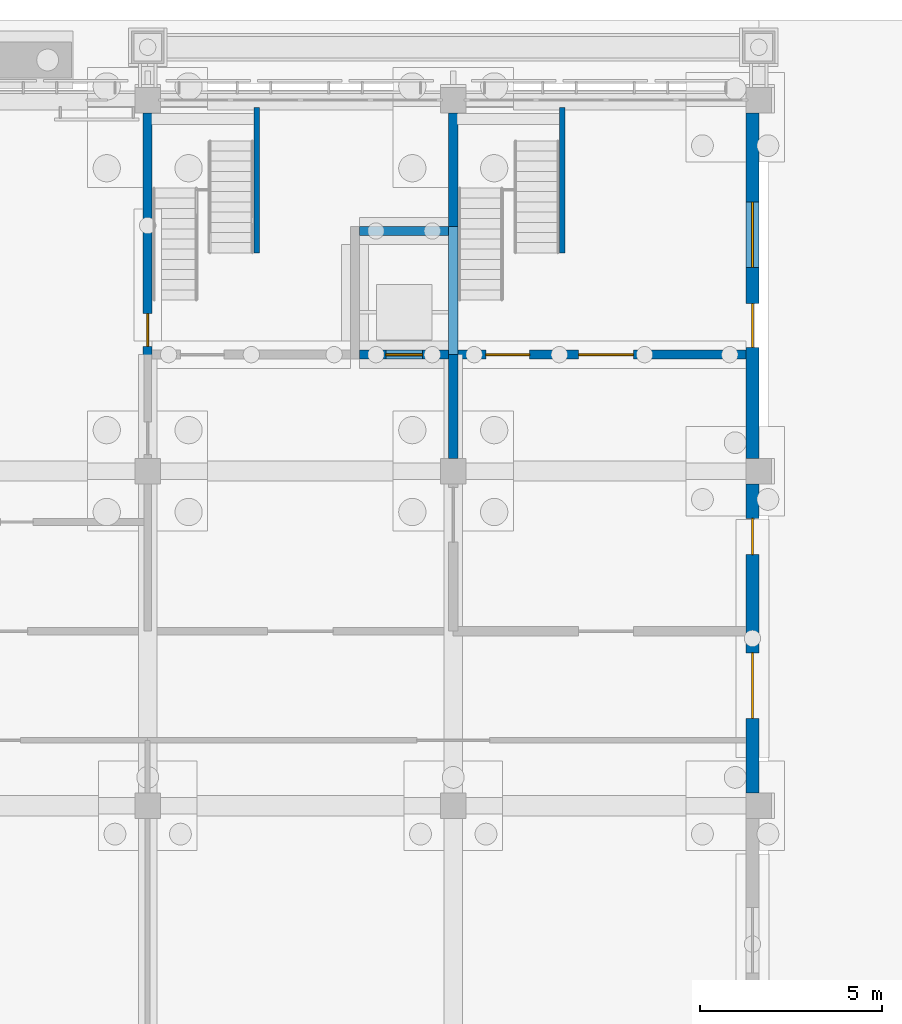
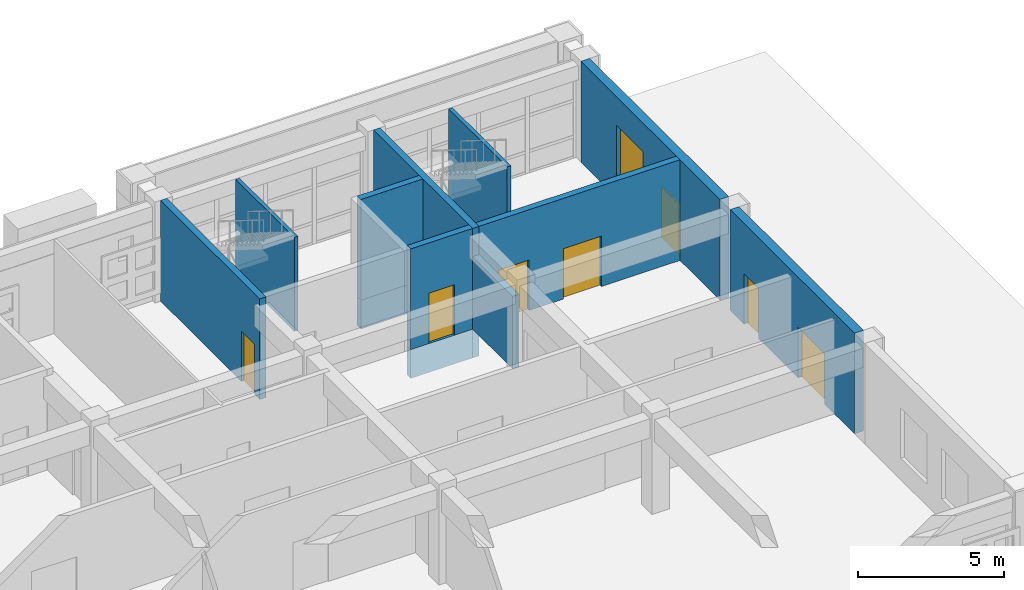
# One storey, part 78 of 112: 13 walls, 7 doors, 1 window, 8 openings.
"""IFC4 building model written with IfcOpenShell, lengths in metres."""

from ifc_helpers import new_model, si_unit, direction, frame, frame_2d, origin, place, context, subcontext, project, spatial, rectangle, extrude, material, layer, layer_set, type_object, element, fill, save


model = new_model("IFC4")

# Units and contexts
model_context = context("Model", 3, precision=1e-05, world=origin(), true_north=direction((0.0, 1.0)))
body_context = subcontext(model_context, "Body", "Model", "MODEL_VIEW")
ifc_project = project(units=[si_unit("LENGTHUNIT", "METRE"), si_unit("AREAUNIT", "SQUARE_METRE"), si_unit("VOLUMEUNIT", "CUBIC_METRE"), si_unit("PLANEANGLEUNIT", "RADIAN"), si_unit("MASSUNIT", "GRAM", prefix="KILO")], contexts=[model_context])

# Site, building, storey
site_placement = place(None, origin())
site = spatial("IfcSite", under=ifc_project, at=site_placement, CompositionType="ELEMENT")
building_placement = place(site_placement, origin())
building = spatial("IfcBuilding", under=site, at=building_placement, Name="Wasatch Bagh Community Centre", CompositionType="ELEMENT")
storey_placement = place(building_placement, origin())
storey = spatial("IfcBuildingStorey", under=building, at=storey_placement, Name="L00", CompositionType="ELEMENT", Elevation=0.0)

# Wall, opening, door
ifc_material_1 = material(Name="Concrete C40", Category="concrete")
ifc_layer_1 = layer(ifc_material_1, 0.25)
ifc_layer_set_1 = layer_set([ifc_layer_1], Name="Concrete C40")
wall_type_1 = type_object("IfcWallType", Name="LW core wall 250", PredefinedType="SHEAR", material=ifc_layer_set_1)
wall_1_placement = place(storey_placement, frame((128.625, 90.800048828125, 0.0), z_axis=(0.0, 0.0, 1.0), x_axis=(1.0, 0.0, 0.0)))
wall_1 = element("IfcWall", 1, at=wall_1_placement, inside=storey, type_object=wall_type_1, Name="LW.swall.L00.08", PredefinedType="SHEAR", context=body_context, shape_type="SweptSolid", body=[
    extrude(rectangle(XDim=2.449951171875, YDim=0.25, at=frame_2d((1.22509765625, 0.0))), origin(), (0.0, 0.0, 1.0), 4.199951171875),
])
opening_1_placement = place(wall_1_placement, frame((0.72509765625, 0.0, 0.0)))
opening_1 = element("IfcOpeningElement", 2, at=opening_1_placement, cuts=wall_1, Name="Opening 0L-52", PredefinedType="OPENING", context=body_context, shape_type="SweptSolid", body=[
    extrude(rectangle(XDim=1.0, YDim=2.10009765625, at=frame_2d((0.5, 1.050048828125))), frame((0.0, 0.135009765625, 0.0), z_axis=(0.0, -1.0, 0.0), x_axis=(1.0, 0.0, 0.0)), (0.0, 0.0, 1.0), 0.27001953125),
])
ifc_material_2 = material(Name="Stainless steel landing door", Category="steel")
door_type_1 = type_object("IfcDoorType", Name="Lift landing door 1000 x 2100", OperationType="SLIDING_TO_LEFT", PredefinedType="DOOR", material=ifc_material_2)
door_1_placement = place(opening_1_placement, origin())
door_1 = element("IfcDoor", 3, at=door_1_placement, inside=storey, type_object=door_type_1, Name="Lift landing door LD 0L-52", OperationType="SLIDING_TO_LEFT", OverallHeight=2.10009765625, OverallWidth=1.0, PredefinedType="DOOR", context=body_context, shape_type="SweptSolid", body=[
    extrude(rectangle(XDim=1.0, YDim=2.10009765625, at=frame_2d((0.5, 1.050048828125))), frame((0.0, 0.02490234375, 0.0), z_axis=(0.0, -1.0, 0.0), x_axis=(1.0, 0.0, 0.0)), (0.0, 0.0, 1.0), 0.050048828125),
])
fill(opening_1, door_1)

# Wall, openings, doors
wall_2_placement = place(storey_placement, frame((131.324951171875, 90.800048828125, 0.0), z_axis=(0.0, 0.0, 1.0), x_axis=(1.0, 0.0, 0.0)))
wall_2 = element("IfcWall", 4, at=wall_2_placement, inside=storey, type_object=wall_type_1, Name="LW.swall.L00.09", PredefinedType="SHEAR", context=body_context, shape_type="SweptSolid", body=[
    extrude(rectangle(XDim=7.925048828125, YDim=0.25, at=frame_2d((3.96240234375, 0.0))), origin(), (0.0, 0.0, 1.0), 4.199951171875),
])
opening_2_placement = place(wall_2_placement, frame((3.324951171875, 0.0, 0.0)))
opening_2 = element("IfcOpeningElement", 5, at=opening_2_placement, cuts=wall_2, Name="Opening 0L-38", PredefinedType="OPENING", context=body_context, shape_type="SweptSolid", body=[
    extrude(rectangle(XDim=1.5, YDim=2.10009765625, at=frame_2d((0.75, 1.050048828125))), frame((0.0, 0.135009765625, 0.0), z_axis=(0.0, -1.0, 0.0), x_axis=(1.0, 0.0, 0.0)), (0.0, 0.0, 1.0), 0.27001953125),
])
opening_3_placement = place(wall_2_placement, frame((0.77490234375, 0.0, 0.0)))
opening_3 = element("IfcOpeningElement", 6, at=opening_3_placement, cuts=wall_2, Name="Opening 0L-53", PredefinedType="OPENING", context=body_context, shape_type="SweptSolid", body=[
    extrude(rectangle(XDim=1.199951171875, YDim=2.10009765625, at=frame_2d((0.60009765625, 1.050048828125))), frame((0.0, 0.135009765625, 0.0), z_axis=(0.0, -1.0, 0.0), x_axis=(1.0, 0.0, 0.0)), (0.0, 0.0, 1.0), 0.27001953125),
])
ifc_material_3 = material(Name="Painted timber", Category="wood")
door_type_2 = type_object("IfcDoorType", Name="LW plant door pair 1500x2400", OperationType="DOUBLE_DOOR_SINGLE_SWING", PredefinedType="DOOR", material=ifc_material_3)
door_2_placement = place(opening_2_placement, origin())
door_2 = element("IfcDoor", 7, at=door_2_placement, inside=storey, type_object=door_type_2, Name="Door Plant Room 0L-38", OperationType="DOUBLE_DOOR_SINGLE_SWING", OverallHeight=2.10009765625, OverallWidth=1.5, PredefinedType="DOOR", context=body_context, shape_type="SweptSolid", body=[
    extrude(rectangle(XDim=1.5, YDim=2.10009765625, at=frame_2d((0.75, 1.050048828125))), frame((0.0, 0.02490234375, 0.0), z_axis=(0.0, -1.0, 0.0), x_axis=(1.0, 0.0, 0.0)), (0.0, 0.0, 1.0), 0.050048828125),
])
fill(opening_2, door_2)
door_type_3 = type_object("IfcDoorType", Name="LW stair door 1200x2100", OperationType="SINGLE_SWING_LEFT", PredefinedType="DOOR", material=ifc_material_3)
door_3_placement = place(opening_3_placement, origin())
door_3 = element("IfcDoor", 8, at=door_3_placement, inside=storey, type_object=door_type_3, Name="Stair door 0L-53", OperationType="SINGLE_SWING_LEFT", OverallHeight=2.10009765625, OverallWidth=1.199951171875, PredefinedType="DOOR", context=body_context, shape_type="SweptSolid", body=[
    extrude(rectangle(XDim=1.199951171875, YDim=2.10009765625, at=frame_2d((0.60009765625, 1.050048828125))), frame((0.0, 0.02490234375, 0.0), z_axis=(0.0, -1.0, 0.0), x_axis=(1.0, 0.0, 0.0)), (0.0, 0.0, 1.0), 0.050048828125),
])
fill(opening_3, door_3)

# Wall
wall_3_placement = place(storey_placement, frame((128.625, 94.199951171875, 0.0), z_axis=(0.0, 0.0, 1.0), x_axis=(1.0, 0.0, 0.0)))
element("IfcWall", 9, at=wall_3_placement, inside=storey, type_object=wall_type_1, Name="LW.swall.L00.13", PredefinedType="SHEAR", context=body_context, shape_type="SweptSolid", body=[
    extrude(rectangle(XDim=2.449951171875, YDim=0.25, at=frame_2d((1.22509765625, 0.0))), origin(), (0.0, 0.0, 1.0), 4.199951171875),
])

# Wall, opening, door
wall_4_placement = place(storey_placement, frame((122.800048828125, 90.675048828125, 0.0), z_axis=(0.0, 0.0, 1.0), x_axis=(0.0, 1.0, 0.0)))
wall_4 = element("IfcWall", 10, at=wall_4_placement, inside=storey, type_object=wall_type_1, Name="LW.swall.L00.25", PredefinedType="SHEAR", context=body_context, shape_type="SweptSolid", body=[
    extrude(rectangle(XDim=6.77490234375, YDim=0.25, at=frame_2d((3.387451171875, 0.0))), origin(), (0.0, 0.0, 1.0), 4.199951171875),
])
opening_4_placement = place(wall_4_placement, frame((0.35009765625, 0.0, 0.0)))
opening_4 = element("IfcOpeningElement", 11, at=opening_4_placement, cuts=wall_4, Name="Opening 0L-35", PredefinedType="OPENING", context=body_context, shape_type="SweptSolid", body=[
    extrude(rectangle(XDim=0.89990234375, YDim=2.10009765625, at=frame_2d((0.449951171875, 1.050048828125))), frame((0.0, 0.135009765625, 0.0), z_axis=(0.0, -1.0, 0.0), x_axis=(1.0, 0.0, 0.0)), (0.0, 0.0, 1.0), 0.27001953125),
])
door_type_4 = type_object("IfcDoorType", Name="LW WC door 900x2100", OperationType="SINGLE_SWING_LEFT", PredefinedType="DOOR", material=ifc_material_3)
door_4_placement = place(opening_4_placement, origin())
door_4 = element("IfcDoor", 12, at=door_4_placement, inside=storey, type_object=door_type_4, Name="Door Men's Toilets 0L-35", OperationType="SINGLE_SWING_LEFT", OverallHeight=2.10009765625, OverallWidth=0.89990234375, PredefinedType="DOOR", context=body_context, shape_type="SweptSolid", body=[
    extrude(rectangle(XDim=0.89990234375, YDim=2.10009765625, at=frame_2d((0.449951171875, 1.050048828125))), frame((0.0, 0.02490234375, 0.0), z_axis=(0.0, -1.0, 0.0), x_axis=(1.0, 0.0, 0.0)), (0.0, 0.0, 1.0), 0.050048828125),
])
fill(opening_4, door_4)

# Wall
wall_5_placement = place(storey_placement, frame((131.199951171875, 90.675048828125, 0.0), z_axis=(0.0, 0.0, 1.0), x_axis=(0.0, 1.0, 0.0)))
element("IfcWall", 13, at=wall_5_placement, inside=storey, type_object=wall_type_1, Name="LW.swall.L00.27", PredefinedType="SHEAR", context=body_context, shape_type="SweptSolid", body=[
    extrude(rectangle(XDim=6.77490234375, YDim=0.25, at=frame_2d((3.387451171875, 0.0))), origin(), (0.0, 0.0, 1.0), 4.199951171875),
])

# Wall, openings, doors
ifc_layer_2 = layer(ifc_material_1, 0.35009765625)
ifc_layer_set_2 = layer_set([ifc_layer_2], Name="Concrete C40")
wall_type_2 = type_object("IfcWallType", Name="LW end shear wall 350", PredefinedType="SHEAR", material=ifc_layer_set_2)
wall_6_placement = place(storey_placement, frame((139.425048828125, 87.25, 0.0), z_axis=(0.0, 0.0, 1.0), x_axis=(0.0, -1.0, 0.0)))
wall_6 = element("IfcWall", 14, at=wall_6_placement, inside=storey, type_object=wall_type_2, Name="LW.swall.L00.29", PredefinedType="SHEAR", context=body_context, shape_type="SweptSolid", body=[
    extrude(rectangle(XDim=8.5, YDim=0.35009765625, at=frame_2d((4.25, 0.0))), origin(), (0.0, 0.0, 1.0), 4.199951171875),
])
opening_5_placement = place(wall_6_placement, frame((4.64990234375, 0.0, 0.0)))
opening_5 = element("IfcOpeningElement", 15, at=opening_5_placement, cuts=wall_6, Name="Opening 0L-09", PredefinedType="OPENING", context=body_context, shape_type="SweptSolid", body=[
    extrude(rectangle(XDim=1.800048828125, YDim=2.10009765625, at=frame_2d((0.89990234375, 1.050048828125))), frame((0.0, 0.18505859375, 0.0), z_axis=(0.0, -1.0, 0.0), x_axis=(1.0, 0.0, 0.0)), (0.0, 0.0, 1.0), 0.3701171875),
])
opening_6_placement = place(wall_6_placement, frame((0.949951171875, 0.0, 0.0)))
opening_6 = element("IfcOpeningElement", 16, at=opening_6_placement, cuts=wall_6, Name="Opening 0L-10", PredefinedType="OPENING", context=body_context, shape_type="SweptSolid", body=[
    extrude(rectangle(XDim=1.0, YDim=2.10009765625, at=frame_2d((0.5, 1.050048828125))), frame((0.0, 0.18505859375, 0.0), z_axis=(0.0, -1.0, 0.0), x_axis=(1.0, 0.0, 0.0)), (0.0, 0.0, 1.0), 0.3701171875),
])
door_type_5 = type_object("IfcDoorType", Name="LW door 1000x2100", OperationType="SINGLE_SWING_LEFT", PredefinedType="DOOR", material=ifc_material_3)
door_5_placement = place(opening_6_placement, origin())
door_5 = element("IfcDoor", 17, at=door_5_placement, inside=storey, type_object=door_type_5, Name="Exit door 0L-10", OperationType="SINGLE_SWING_LEFT", OverallHeight=2.10009765625, OverallWidth=1.0, PredefinedType="DOOR", context=body_context, shape_type="SweptSolid", body=[
    extrude(rectangle(XDim=1.0, YDim=2.10009765625, at=frame_2d((0.5, 1.050048828125))), frame((0.0, 0.02490234375, 0.0), z_axis=(0.0, -1.0, 0.0), x_axis=(1.0, 0.0, 0.0)), (0.0, 0.0, 1.0), 0.050048828125),
])
fill(opening_6, door_5)
door_type_6 = type_object("IfcDoorType", Name="LW door pair 1800x2100", OperationType="DOUBLE_DOOR_SINGLE_SWING", PredefinedType="DOOR", material=ifc_material_3)
door_6_placement = place(opening_5_placement, origin())
door_6 = element("IfcDoor", 18, at=door_6_placement, inside=storey, type_object=door_type_6, Name="Exit door 0L-09", OperationType="DOUBLE_DOOR_SINGLE_SWING", OverallHeight=2.10009765625, OverallWidth=1.800048828125, PredefinedType="DOOR", context=body_context, shape_type="SweptSolid", body=[
    extrude(rectangle(XDim=1.800048828125, YDim=2.10009765625, at=frame_2d((0.89990234375, 1.050048828125))), frame((0.0, 0.02490234375, 0.0), z_axis=(0.0, -1.0, 0.0), x_axis=(1.0, 0.0, 0.0)), (0.0, 0.0, 1.0), 0.050048828125),
])
fill(opening_5, door_6)

# Wall, openings, door, window
wall_7_placement = place(storey_placement, frame((139.425048828125, 97.449951171875, 0.0), z_axis=(0.0, 0.0, 1.0), x_axis=(0.0, -1.0, 0.0)))
wall_7 = element("IfcWall", 19, at=wall_7_placement, inside=storey, type_object=wall_type_2, Name="LW.swall.L00.30", PredefinedType="SHEAR", context=body_context, shape_type="SweptSolid", body=[
    extrude(rectangle(XDim=9.5, YDim=0.35009765625, at=frame_2d((4.75, 0.0))), origin(), (0.0, 0.0, 1.0), 4.199951171875),
])
opening_7_placement = place(wall_7_placement, frame((5.25, 0.0, 0.0)))
opening_7 = element("IfcOpeningElement", 20, at=opening_7_placement, cuts=wall_7, Name="Opening 0L-11", PredefinedType="OPENING", context=body_context, shape_type="SweptSolid", body=[
    extrude(rectangle(XDim=1.199951171875, YDim=2.10009765625, at=frame_2d((0.60009765625, 1.050048828125))), frame((0.0, 0.18505859375, 0.0), z_axis=(0.0, -1.0, 0.0), x_axis=(1.0, 0.0, 0.0)), (0.0, 0.0, 1.0), 0.3701171875),
])
opening_8_placement = place(wall_7_placement, frame((2.449951171875, 0.0, 0.89990234375)))
opening_8 = element("IfcOpeningElement", 21, at=opening_8_placement, cuts=wall_7, Name="Opening 0L-W020", PredefinedType="OPENING", context=body_context, shape_type="SweptSolid", body=[
    extrude(rectangle(XDim=1.800048828125, YDim=2.10009765625, at=frame_2d((0.89990234375, 1.050048828125))), frame((0.0, 0.18505859375, 0.0), z_axis=(0.0, -1.0, 0.0), x_axis=(1.0, 0.0, 0.0)), (0.0, 0.0, 1.0), 0.3701171875),
])
door_7_placement = place(opening_7_placement, origin())
door_7 = element("IfcDoor", 22, at=door_7_placement, inside=storey, type_object=door_type_3, Name="Exit door 0L-11", OperationType="SINGLE_SWING_LEFT", OverallHeight=2.10009765625, OverallWidth=1.199951171875, PredefinedType="DOOR", context=body_context, shape_type="SweptSolid", body=[
    extrude(rectangle(XDim=1.199951171875, YDim=2.10009765625, at=frame_2d((0.60009765625, 1.050048828125))), frame((0.0, 0.02490234375, 0.0), z_axis=(0.0, -1.0, 0.0), x_axis=(1.0, 0.0, 0.0)), (0.0, 0.0, 1.0), 0.050048828125),
])
fill(opening_7, door_7)
ifc_material_4 = material(Name="Aluminium framed double glazing", Category="aluminium")
window_type = type_object("IfcWindowType", Name="LW window 1800x2100", PartitioningType="SINGLE_PANEL", PredefinedType="WINDOW", material=ifc_material_4)
window_placement = place(opening_8_placement, origin())
window = element("IfcWindow", 23, at=window_placement, inside=storey, type_object=window_type, Name="Window 0L-W020", OverallHeight=2.10009765625, OverallWidth=1.800048828125, PartitioningType="SINGLE_PANEL", PredefinedType="WINDOW", context=body_context, shape_type="SweptSolid", body=[
    extrude(rectangle(XDim=1.800048828125, YDim=2.10009765625, at=frame_2d((0.89990234375, 1.050048828125))), frame((0.0, 0.030029296875, 0.0), z_axis=(0.0, -1.0, 0.0), x_axis=(1.0, 0.0, 0.0)), (0.0, 0.0, 1.0), 0.06005859375),
])
fill(opening_8, window)

# Walls
ifc_material_5 = material(Name="Concrete C35", Category="concrete")
ifc_layer_3 = layer(ifc_material_5, 0.25)
ifc_layer_set_3 = layer_set([ifc_layer_3], Name="Concrete C35")
wall_type_3 = type_object("IfcWallType", Name="LW lift pit wall 250", PredefinedType="SOLIDWALL", material=ifc_layer_set_3)
for number, where, z_axis, x_axis, name in (
    (24, (128.625, 90.800048828125, -1.199951171875), (0.0, 0.0, 1.0), (1.0, 0.0, 0.0), "LW.pit.C3.wall1"),
    (25, (128.625, 94.199951171875, -1.199951171875), (0.0, 0.0, 1.0), (1.0, 0.0, 0.0), "LW.pit.C3.wall2"),
):
    element("IfcWall", number, at=place(storey_placement, frame(where, z_axis=z_axis, x_axis=x_axis)), inside=storey, type_object=wall_type_3, Name=name, PredefinedType="SOLIDWALL", context=body_context, shape_type="SweptSolid", body=[
        extrude(rectangle(XDim=2.449951171875, YDim=0.25, at=frame_2d((1.22509765625, 0.0))), origin(), (0.0, 0.0, 1.0), 1.199951171875),
    ])
wall_8_placement = place(storey_placement, frame((131.199951171875, 90.675048828125, -1.199951171875), z_axis=(0.0, 0.0, 1.0), x_axis=(0.0, 1.0, 0.0)))
element("IfcWall", 26, at=wall_8_placement, inside=storey, type_object=wall_type_3, Name="LW.pit.C3.wall4", PredefinedType="SOLIDWALL", context=body_context, shape_type="SweptSolid", body=[
    extrude(rectangle(XDim=3.64990234375, YDim=0.25, at=frame_2d((1.824951171875, 0.0))), origin(), (0.0, 0.0, 1.0), 1.199951171875),
])
ifc_material_6 = material(Name="Gypsum board on steel studs", Category="steel")
ifc_layer_4 = layer(ifc_material_6, 0.14990234375)
ifc_layer_set_4 = layer_set([ifc_layer_4], Name="Gypsum board on steel studs")
wall_type_4 = type_object("IfcWallType", Name="LW partition 150", PredefinedType="PARTITIONING", material=ifc_layer_set_4)
for number, where, z_axis, x_axis, name in (
    (27, (125.800048828125, 93.60009765625, 0.0), (0.0, 0.0, 1.0), (0.0, 1.0, 0.0), "Stair compartment wall"),
    (28, (134.199951171875, 93.60009765625, 0.0), (0.0, 0.0, 1.0), (0.0, 1.0, 0.0), "Stair compartment wall"),
):
    element("IfcWall", number, at=place(storey_placement, frame(where, z_axis=z_axis, x_axis=x_axis)), inside=storey, type_object=wall_type_4, Name=name, PredefinedType="PARTITIONING", context=body_context, shape_type="SweptSolid", body=[
        extrude(rectangle(XDim=4.0, YDim=0.14990234375, at=frame_2d((2.0, 0.0))), origin(), (0.0, 0.0, 1.0), 3.919921875),
    ])
ifc_material_7 = material(Name="Dense blockwork acoustic partition", Category="masonry")
ifc_layer_5 = layer(ifc_material_7, 0.260009765625)
ifc_layer_set_5 = layer_set([ifc_layer_5], Name="Dense blockwork acoustic partition")
wall_type_5 = type_object("IfcWallType", Name="LW plant room partition 260", PredefinedType="PARTITIONING", material=ifc_layer_set_5)
wall_9_placement = place(storey_placement, frame((131.199951171875, 87.949951171875, 0.0), z_axis=(0.0, 0.0, 1.0), x_axis=(0.0, 1.0, 0.0)))
element("IfcWall", 29, at=wall_9_placement, inside=storey, type_object=wall_type_5, Name="LW.part.L00.043", PredefinedType="PARTITIONING", context=body_context, shape_type="SweptSolid", body=[
    extrude(rectangle(XDim=2.85009765625, YDim=0.260009765625, at=frame_2d((1.425048828125, 0.0))), origin(), (0.0, 0.0, 1.0), 3.02001953125),
])

save(model, "model.ifc")
